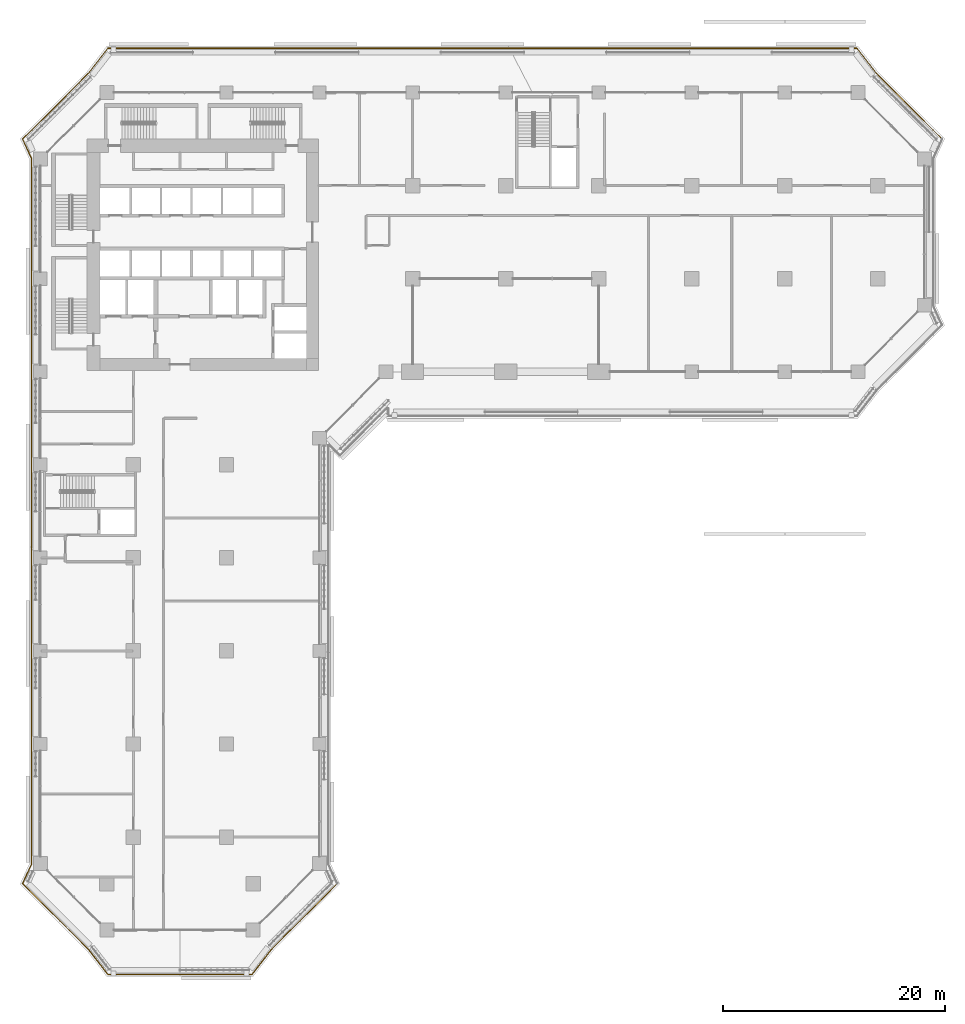
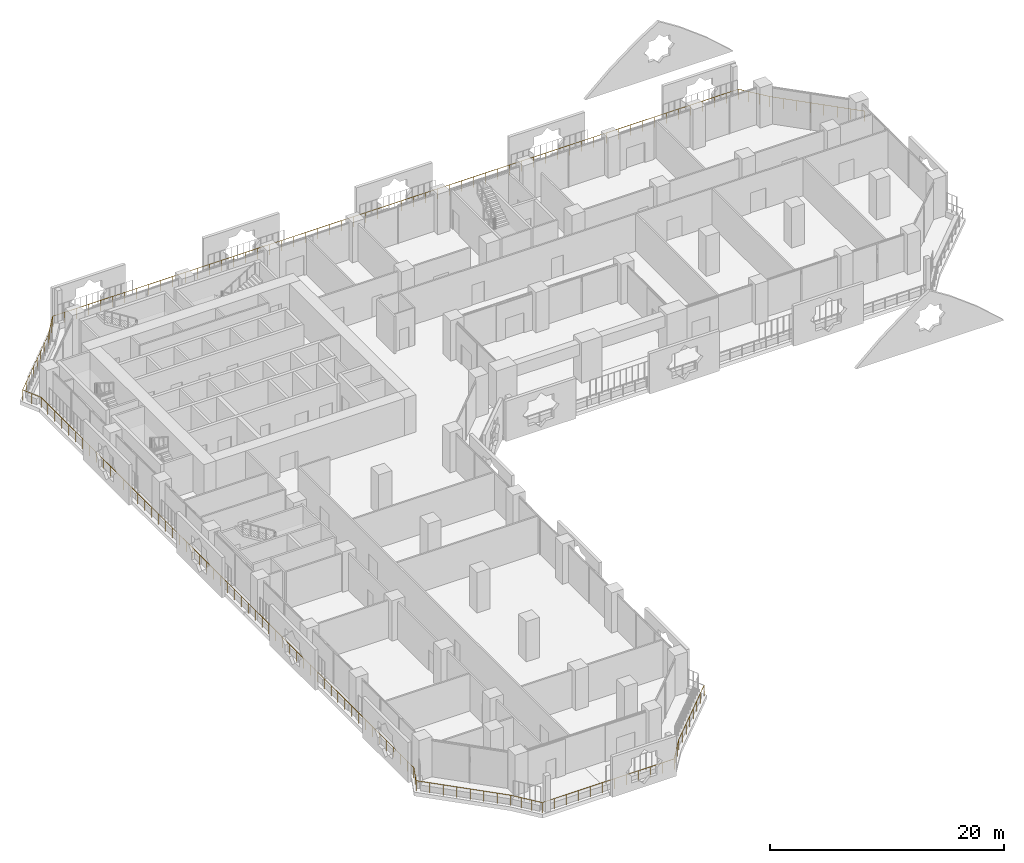
# One storey, part 22 of 27: 1 railing.
"""IFC4 building model written with IfcOpenShell, lengths in metres."""

from ifc_helpers import new_model, si_unit, direction, frame, origin, origin_2d, place, context, subcontext, project, spatial, circle, extrude, material, type_object, element, save


model = new_model("IFC4")

# Units and contexts
model_context = context("Model", 3, precision=1e-05, world=origin(), true_north=direction((0.0, 1.0)))
body_context = subcontext(model_context, "Body", "Model", "MODEL_VIEW")
ifc_project = project(units=[si_unit("LENGTHUNIT", "METRE"), si_unit("AREAUNIT", "SQUARE_METRE"), si_unit("VOLUMEUNIT", "CUBIC_METRE"), si_unit("PLANEANGLEUNIT", "RADIAN"), si_unit("MASSUNIT", "GRAM", prefix="KILO")], contexts=[model_context])

# Site, building, storey
site_placement = place(None, origin())
site = spatial("IfcSite", under=ifc_project, at=site_placement, CompositionType="ELEMENT")
building_placement = place(site_placement, origin())
building = spatial("IfcBuilding", under=site, at=building_placement, Name="Kawkab Arch Medical Tower", CompositionType="ELEMENT")
storey_placement = place(building_placement, frame((0.0, 0.0, 39.199951171875)))
storey = spatial("IfcBuildingStorey", under=building, at=storey_placement, Name="L08", CompositionType="ELEMENT", Elevation=39.199951171875)

# Railing
ifc_material = material(Name="Bronze anodised aluminium guard", Category="aluminium")
railing_type = type_object("IfcRailingType", Name="Loggia and terrace guard 1100", PredefinedType="GUARDRAIL", material=ifc_material)
railing_placement = place(storey_placement, frame((26.798095703125, -71.39501953125, 0.0)))
element("IfcRailing", 1, at=railing_placement, inside=storey, type_object=railing_type, Name="Guard L08.LOG-01.1.1", PredefinedType="GUARDRAIL", context=body_context, shape_type="SweptSolid", body=[
    extrude(circle(Radius=0.02392578125, at=origin_2d()), frame((0.0, 0.0, 1.076171875), z_axis=(-0.707121386154, -0.707092175918, 0.0), x_axis=(0.707092175918, -0.707121386154, 0.0)), (0.0, 0.0, 1.0), 8.358154296875),
    extrude(circle(Radius=0.02392578125, at=origin_2d()), frame((-5.91015625, -5.909912109375, 1.076171875), z_axis=(-0.614103336722, -0.789225627959, 0.0), x_axis=(0.789225627959, -0.614103336722, 0.0)), (0.0, 0.0, 1.0), 2.908203125),
    extrude(circle(Radius=0.02392578125, at=origin_2d()), frame((-7.696044921875, -8.205078125, 1.076171875), z_axis=(-1.0, 0.0, 0.0), x_axis=(0.0, -1.0, 0.0)), (0.0, 0.0, 1.0), 13.004150390625),
    extrude(circle(Radius=0.02392578125, at=origin_2d()), frame((-20.7001953125, -8.205078125, 1.076171875), z_axis=(-0.614103336722, 0.789225627959, 0.0), x_axis=(-0.789225627959, -0.614103336722, 0.0)), (0.0, 0.0, 1.0), 2.908203125),
    extrude(circle(Radius=0.02392578125, at=origin_2d()), frame((-22.486083984375, -5.909912109375, 1.076171875), z_axis=(-0.707106781187, 0.707106781187, 0.0), x_axis=(-0.707106781187, -0.707106781187, 0.0)), (0.0, 0.0, 1.0), 8.35791015625),
    extrude(circle(Radius=0.02392578125, at=origin_2d()), frame((-28.39599609375, 0.0, 1.076171875), z_axis=(0.414452581809, 0.910070907914, 0.0), x_axis=(-0.910070907914, 0.414452581809, 0.0)), (0.0, 0.0, 1.0), 1.925048828125),
    extrude(circle(Radius=0.02392578125, at=origin_2d()), frame((-27.59814453125, 1.751953125, 1.076171875), z_axis=(0.0, 1.0, 0.0), x_axis=(-1.0, 0.0, 0.0)), (0.0, 0.0, 1.0), 63.68603515625),
    extrude(circle(Radius=0.02392578125, at=origin_2d()), frame((-27.59814453125, 65.43798828125, 1.076171875), z_axis=(-0.414452581809, 0.910070907914, 0.0), x_axis=(-0.910070907914, -0.414452581809, 0.0)), (0.0, 0.0, 1.0), 1.925048828125),
    extrude(circle(Radius=0.02392578125, at=origin_2d()), frame((-28.39599609375, 67.18994140625, 1.076171875), z_axis=(0.707092175918, 0.707121386154, 0.0), x_axis=(-0.707121386154, 0.707092175918, 0.0)), (0.0, 0.0, 1.0), 8.358154296875),
    extrude(circle(Radius=0.02392578125, at=origin_2d()), frame((-22.486083984375, 73.10009765625, 1.076171875), z_axis=(0.614144026922, 0.789193964876, 0.0), x_axis=(-0.789193964876, 0.614144026922, 0.0)), (0.0, 0.0, 1.0), 2.907958984375),
    extrude(circle(Radius=0.02392578125, at=origin_2d()), frame((-20.7001953125, 75.39501953125, 1.076171875), z_axis=(1.0, 0.0, 0.0), x_axis=(0.0, 1.0, 0.0)), (0.0, 0.0, 1.0), 67.60400390625),
    extrude(circle(Radius=0.02392578125, at=origin_2d()), frame((46.90380859375, 75.39501953125, 1.076171875), z_axis=(0.614196313452, -0.789153273162, 0.0), x_axis=(0.789153273162, 0.614196313452, 0.0)), (0.0, 0.0, 1.0), 2.908203125),
    extrude(circle(Radius=0.02392578125, at=origin_2d()), frame((48.68994140625, 73.10009765625, 1.076171875), z_axis=(0.707092175918, -0.707121386154, 0.0), x_axis=(0.707121386154, 0.707092175918, 0.0)), (0.0, 0.0, 1.0), 8.358154296875),
    extrude(circle(Radius=0.02099609375, at=origin_2d()), origin(), (0.0, 0.0, 1.0), 1.052001953125),
    extrude(circle(Radius=0.02099609375, at=origin_2d()), frame((-0.84423828125, -0.84423828125, 0.0)), (0.0, 0.0, 1.0), 1.052001953125),
    extrude(circle(Radius=0.02099609375, at=origin_2d()), frame((-1.688720703125, -1.6884765625, 0.0)), (0.0, 0.0, 1.0), 1.052001953125),
    extrude(circle(Radius=0.02099609375, at=origin_2d()), frame((-2.532958984375, -2.53271484375, 0.0)), (0.0, 0.0, 1.0), 1.052001953125),
    extrude(circle(Radius=0.02099609375, at=origin_2d()), frame((-3.377197265625, -3.377197265625, 0.0)), (0.0, 0.0, 1.0), 1.052001953125),
    extrude(circle(Radius=0.02099609375, at=origin_2d()), frame((-4.221435546875, -4.221435546875, 0.0)), (0.0, 0.0, 1.0), 1.052001953125),
    extrude(circle(Radius=0.02099609375, at=origin_2d()), frame((-5.06591796875, -5.065673828125, 0.0)), (0.0, 0.0, 1.0), 1.052001953125),
    extrude(circle(Radius=0.02099609375, at=origin_2d()), frame((-5.91015625, -5.909912109375, 0.0)), (0.0, 0.0, 1.0), 1.052001953125),
    extrude(circle(Radius=0.02099609375, at=origin_2d()), frame((-6.50537109375, -6.675048828125, 0.0)), (0.0, 0.0, 1.0), 1.052001953125),
    extrude(circle(Radius=0.02099609375, at=origin_2d()), frame((-7.100830078125, -7.43994140625, 0.0)), (0.0, 0.0, 1.0), 1.052001953125),
    extrude(circle(Radius=0.02099609375, at=origin_2d()), frame((-7.696044921875, -8.205078125, 0.0)), (0.0, 0.0, 1.0), 1.052001953125),
    extrude(circle(Radius=0.02099609375, at=origin_2d()), frame((-8.878173828125, -8.205078125, 0.0)), (0.0, 0.0, 1.0), 1.052001953125),
    extrude(circle(Radius=0.02099609375, at=origin_2d()), frame((-10.060546875, -8.205078125, 0.0)), (0.0, 0.0, 1.0), 1.052001953125),
    extrude(circle(Radius=0.02099609375, at=origin_2d()), frame((-11.24267578125, -8.205078125, 0.0)), (0.0, 0.0, 1.0), 1.052001953125),
    extrude(circle(Radius=0.02099609375, at=origin_2d()), frame((-12.4248046875, -8.205078125, 0.0)), (0.0, 0.0, 1.0), 1.052001953125),
    extrude(circle(Radius=0.02099609375, at=origin_2d()), frame((-13.60693359375, -8.205078125, 0.0)), (0.0, 0.0, 1.0), 1.052001953125),
    extrude(circle(Radius=0.02099609375, at=origin_2d()), frame((-14.789306640625, -8.205078125, 0.0)), (0.0, 0.0, 1.0), 1.052001953125),
    extrude(circle(Radius=0.02099609375, at=origin_2d()), frame((-15.971435546875, -8.205078125, 0.0)), (0.0, 0.0, 1.0), 1.052001953125),
    extrude(circle(Radius=0.02099609375, at=origin_2d()), frame((-17.153564453125, -8.205078125, 0.0)), (0.0, 0.0, 1.0), 1.052001953125),
    extrude(circle(Radius=0.02099609375, at=origin_2d()), frame((-18.335693359375, -8.205078125, 0.0)), (0.0, 0.0, 1.0), 1.052001953125),
    extrude(circle(Radius=0.02099609375, at=origin_2d()), frame((-19.51806640625, -8.205078125, 0.0)), (0.0, 0.0, 1.0), 1.052001953125),
    extrude(circle(Radius=0.02099609375, at=origin_2d()), frame((-20.7001953125, -8.205078125, 0.0)), (0.0, 0.0, 1.0), 1.052001953125),
    extrude(circle(Radius=0.02099609375, at=origin_2d()), frame((-21.29541015625, -7.43994140625, 0.0)), (0.0, 0.0, 1.0), 1.052001953125),
    extrude(circle(Radius=0.02099609375, at=origin_2d()), frame((-21.890869140625, -6.675048828125, 0.0)), (0.0, 0.0, 1.0), 1.052001953125),
    extrude(circle(Radius=0.02099609375, at=origin_2d()), frame((-22.486083984375, -5.909912109375, 0.0)), (0.0, 0.0, 1.0), 1.052001953125),
    extrude(circle(Radius=0.02099609375, at=origin_2d()), frame((-23.330322265625, -5.065673828125, 0.0)), (0.0, 0.0, 1.0), 1.052001953125),
    extrude(circle(Radius=0.02099609375, at=origin_2d()), frame((-24.174560546875, -4.221435546875, 0.0)), (0.0, 0.0, 1.0), 1.052001953125),
    extrude(circle(Radius=0.02099609375, at=origin_2d()), frame((-25.018798828125, -3.377197265625, 0.0)), (0.0, 0.0, 1.0), 1.052001953125),
    extrude(circle(Radius=0.02099609375, at=origin_2d()), frame((-25.86328125, -2.53271484375, 0.0)), (0.0, 0.0, 1.0), 1.052001953125),
    extrude(circle(Radius=0.02099609375, at=origin_2d()), frame((-26.70751953125, -1.6884765625, 0.0)), (0.0, 0.0, 1.0), 1.052001953125),
    extrude(circle(Radius=0.02099609375, at=origin_2d()), frame((-27.5517578125, -0.84423828125, 0.0)), (0.0, 0.0, 1.0), 1.052001953125),
    extrude(circle(Radius=0.02099609375, at=origin_2d()), frame((-28.39599609375, 0.0, 0.0)), (0.0, 0.0, 1.0), 1.052001953125),
    extrude(circle(Radius=0.02099609375, at=origin_2d()), frame((-27.9970703125, 0.8759765625, 0.0)), (0.0, 0.0, 1.0), 1.052001953125),
    extrude(circle(Radius=0.02099609375, at=origin_2d()), frame((-27.59814453125, 1.751953125, 0.0)), (0.0, 0.0, 1.0), 1.052001953125),
    extrude(circle(Radius=0.02099609375, at=origin_2d()), frame((-27.59814453125, 2.931396484375, 0.0)), (0.0, 0.0, 1.0), 1.052001953125),
    extrude(circle(Radius=0.02099609375, at=origin_2d()), frame((-27.59814453125, 4.110595703125, 0.0)), (0.0, 0.0, 1.0), 1.052001953125),
    extrude(circle(Radius=0.02099609375, at=origin_2d()), frame((-27.59814453125, 5.2900390625, 0.0)), (0.0, 0.0, 1.0), 1.052001953125),
    extrude(circle(Radius=0.02099609375, at=origin_2d()), frame((-27.59814453125, 6.469482421875, 0.0)), (0.0, 0.0, 1.0), 1.052001953125),
    extrude(circle(Radius=0.02099609375, at=origin_2d()), frame((-27.59814453125, 7.64892578125, 0.0)), (0.0, 0.0, 1.0), 1.052001953125),
    extrude(circle(Radius=0.02099609375, at=origin_2d()), frame((-27.59814453125, 8.828125, 0.0)), (0.0, 0.0, 1.0), 1.052001953125),
    extrude(circle(Radius=0.02099609375, at=origin_2d()), frame((-27.59814453125, 10.007568359375, 0.0)), (0.0, 0.0, 1.0), 1.052001953125),
    extrude(circle(Radius=0.02099609375, at=origin_2d()), frame((-27.59814453125, 11.18701171875, 0.0)), (0.0, 0.0, 1.0), 1.052001953125),
    extrude(circle(Radius=0.02099609375, at=origin_2d()), frame((-27.59814453125, 12.3662109375, 0.0)), (0.0, 0.0, 1.0), 1.052001953125),
    extrude(circle(Radius=0.02099609375, at=origin_2d()), frame((-27.59814453125, 13.545654296875, 0.0)), (0.0, 0.0, 1.0), 1.052001953125),
    extrude(circle(Radius=0.02099609375, at=origin_2d()), frame((-27.59814453125, 14.72509765625, 0.0)), (0.0, 0.0, 1.0), 1.052001953125),
    extrude(circle(Radius=0.02099609375, at=origin_2d()), frame((-27.59814453125, 15.904296875, 0.0)), (0.0, 0.0, 1.0), 1.052001953125),
    extrude(circle(Radius=0.02099609375, at=origin_2d()), frame((-27.59814453125, 17.083740234375, 0.0)), (0.0, 0.0, 1.0), 1.052001953125),
    extrude(circle(Radius=0.02099609375, at=origin_2d()), frame((-27.59814453125, 18.26318359375, 0.0)), (0.0, 0.0, 1.0), 1.052001953125),
    extrude(circle(Radius=0.02099609375, at=origin_2d()), frame((-27.59814453125, 19.442626953125, 0.0)), (0.0, 0.0, 1.0), 1.052001953125),
    extrude(circle(Radius=0.02099609375, at=origin_2d()), frame((-27.59814453125, 20.621826171875, 0.0)), (0.0, 0.0, 1.0), 1.052001953125),
    extrude(circle(Radius=0.02099609375, at=origin_2d()), frame((-27.59814453125, 21.80126953125, 0.0)), (0.0, 0.0, 1.0), 1.052001953125),
    extrude(circle(Radius=0.02099609375, at=origin_2d()), frame((-27.59814453125, 22.980712890625, 0.0)), (0.0, 0.0, 1.0), 1.052001953125),
    extrude(circle(Radius=0.02099609375, at=origin_2d()), frame((-27.59814453125, 24.159912109375, 0.0)), (0.0, 0.0, 1.0), 1.052001953125),
    extrude(circle(Radius=0.02099609375, at=origin_2d()), frame((-27.59814453125, 25.33935546875, 0.0)), (0.0, 0.0, 1.0), 1.052001953125),
    extrude(circle(Radius=0.02099609375, at=origin_2d()), frame((-27.59814453125, 26.518798828125, 0.0)), (0.0, 0.0, 1.0), 1.052001953125),
    extrude(circle(Radius=0.02099609375, at=origin_2d()), frame((-27.59814453125, 27.697998046875, 0.0)), (0.0, 0.0, 1.0), 1.052001953125),
    extrude(circle(Radius=0.02099609375, at=origin_2d()), frame((-27.59814453125, 28.87744140625, 0.0)), (0.0, 0.0, 1.0), 1.052001953125),
    extrude(circle(Radius=0.02099609375, at=origin_2d()), frame((-27.59814453125, 30.056884765625, 0.0)), (0.0, 0.0, 1.0), 1.052001953125),
    extrude(circle(Radius=0.02099609375, at=origin_2d()), frame((-27.59814453125, 31.236328125, 0.0)), (0.0, 0.0, 1.0), 1.052001953125),
    extrude(circle(Radius=0.02099609375, at=origin_2d()), frame((-27.59814453125, 32.41552734375, 0.0)), (0.0, 0.0, 1.0), 1.052001953125),
    extrude(circle(Radius=0.02099609375, at=origin_2d()), frame((-27.59814453125, 33.594970703125, 0.0)), (0.0, 0.0, 1.0), 1.052001953125),
    extrude(circle(Radius=0.02099609375, at=origin_2d()), frame((-27.59814453125, 34.7744140625, 0.0)), (0.0, 0.0, 1.0), 1.052001953125),
    extrude(circle(Radius=0.02099609375, at=origin_2d()), frame((-27.59814453125, 35.95361328125, 0.0)), (0.0, 0.0, 1.0), 1.052001953125),
    extrude(circle(Radius=0.02099609375, at=origin_2d()), frame((-27.59814453125, 37.133056640625, 0.0)), (0.0, 0.0, 1.0), 1.052001953125),
    extrude(circle(Radius=0.02099609375, at=origin_2d()), frame((-27.59814453125, 38.3125, 0.0)), (0.0, 0.0, 1.0), 1.052001953125),
    extrude(circle(Radius=0.02099609375, at=origin_2d()), frame((-27.59814453125, 39.491943359375, 0.0)), (0.0, 0.0, 1.0), 1.052001953125),
    extrude(circle(Radius=0.02099609375, at=origin_2d()), frame((-27.59814453125, 40.671142578125, 0.0)), (0.0, 0.0, 1.0), 1.052001953125),
    extrude(circle(Radius=0.02099609375, at=origin_2d()), frame((-27.59814453125, 41.8505859375, 0.0)), (0.0, 0.0, 1.0), 1.052001953125),
    extrude(circle(Radius=0.02099609375, at=origin_2d()), frame((-27.59814453125, 43.030029296875, 0.0)), (0.0, 0.0, 1.0), 1.052001953125),
    extrude(circle(Radius=0.02099609375, at=origin_2d()), frame((-27.59814453125, 44.209228515625, 0.0)), (0.0, 0.0, 1.0), 1.052001953125),
    extrude(circle(Radius=0.02099609375, at=origin_2d()), frame((-27.59814453125, 45.388671875, 0.0)), (0.0, 0.0, 1.0), 1.052001953125),
    extrude(circle(Radius=0.02099609375, at=origin_2d()), frame((-27.59814453125, 46.568115234375, 0.0)), (0.0, 0.0, 1.0), 1.052001953125),
    extrude(circle(Radius=0.02099609375, at=origin_2d()), frame((-27.59814453125, 47.747314453125, 0.0)), (0.0, 0.0, 1.0), 1.052001953125),
    extrude(circle(Radius=0.02099609375, at=origin_2d()), frame((-27.59814453125, 48.9267578125, 0.0)), (0.0, 0.0, 1.0), 1.052001953125),
    extrude(circle(Radius=0.02099609375, at=origin_2d()), frame((-27.59814453125, 50.106201171875, 0.0)), (0.0, 0.0, 1.0), 1.052001953125),
    extrude(circle(Radius=0.02099609375, at=origin_2d()), frame((-27.59814453125, 51.28564453125, 0.0)), (0.0, 0.0, 1.0), 1.052001953125),
    extrude(circle(Radius=0.02099609375, at=origin_2d()), frame((-27.59814453125, 52.46484375, 0.0)), (0.0, 0.0, 1.0), 1.052001953125),
    extrude(circle(Radius=0.02099609375, at=origin_2d()), frame((-27.59814453125, 53.644287109375, 0.0)), (0.0, 0.0, 1.0), 1.052001953125),
    extrude(circle(Radius=0.02099609375, at=origin_2d()), frame((-27.59814453125, 54.82373046875, 0.0)), (0.0, 0.0, 1.0), 1.052001953125),
    extrude(circle(Radius=0.02099609375, at=origin_2d()), frame((-27.59814453125, 56.0029296875, 0.0)), (0.0, 0.0, 1.0), 1.052001953125),
    extrude(circle(Radius=0.02099609375, at=origin_2d()), frame((-27.59814453125, 57.182373046875, 0.0)), (0.0, 0.0, 1.0), 1.052001953125),
    extrude(circle(Radius=0.02099609375, at=origin_2d()), frame((-27.59814453125, 58.36181640625, 0.0)), (0.0, 0.0, 1.0), 1.052001953125),
    extrude(circle(Radius=0.02099609375, at=origin_2d()), frame((-27.59814453125, 59.541015625, 0.0)), (0.0, 0.0, 1.0), 1.052001953125),
    extrude(circle(Radius=0.02099609375, at=origin_2d()), frame((-27.59814453125, 60.720458984375, 0.0)), (0.0, 0.0, 1.0), 1.052001953125),
    extrude(circle(Radius=0.02099609375, at=origin_2d()), frame((-27.59814453125, 61.89990234375, 0.0)), (0.0, 0.0, 1.0), 1.052001953125),
    extrude(circle(Radius=0.02099609375, at=origin_2d()), frame((-27.59814453125, 63.079345703125, 0.0)), (0.0, 0.0, 1.0), 1.052001953125),
    extrude(circle(Radius=0.02099609375, at=origin_2d()), frame((-27.59814453125, 64.258544921875, 0.0)), (0.0, 0.0, 1.0), 1.052001953125),
    extrude(circle(Radius=0.02099609375, at=origin_2d()), frame((-27.59814453125, 65.43798828125, 0.0)), (0.0, 0.0, 1.0), 1.052001953125),
    extrude(circle(Radius=0.02099609375, at=origin_2d()), frame((-27.9970703125, 66.31396484375, 0.0)), (0.0, 0.0, 1.0), 1.052001953125),
    extrude(circle(Radius=0.02099609375, at=origin_2d()), frame((-28.39599609375, 67.18994140625, 0.0)), (0.0, 0.0, 1.0), 1.052001953125),
    extrude(circle(Radius=0.02099609375, at=origin_2d()), frame((-27.5517578125, 68.0341796875, 0.0)), (0.0, 0.0, 1.0), 1.052001953125),
    extrude(circle(Radius=0.02099609375, at=origin_2d()), frame((-26.70751953125, 68.878662109375, 0.0)), (0.0, 0.0, 1.0), 1.052001953125),
    extrude(circle(Radius=0.02099609375, at=origin_2d()), frame((-25.86328125, 69.722900390625, 0.0)), (0.0, 0.0, 1.0), 1.052001953125),
    extrude(circle(Radius=0.02099609375, at=origin_2d()), frame((-25.018798828125, 70.567138671875, 0.0)), (0.0, 0.0, 1.0), 1.052001953125),
    extrude(circle(Radius=0.02099609375, at=origin_2d()), frame((-24.174560546875, 71.411376953125, 0.0)), (0.0, 0.0, 1.0), 1.052001953125),
    extrude(circle(Radius=0.02099609375, at=origin_2d()), frame((-23.330322265625, 72.255859375, 0.0)), (0.0, 0.0, 1.0), 1.052001953125),
    extrude(circle(Radius=0.02099609375, at=origin_2d()), frame((-22.486083984375, 73.10009765625, 0.0)), (0.0, 0.0, 1.0), 1.052001953125),
    extrude(circle(Radius=0.02099609375, at=origin_2d()), frame((-21.890869140625, 73.864990234375, 0.0)), (0.0, 0.0, 1.0), 1.052001953125),
    extrude(circle(Radius=0.02099609375, at=origin_2d()), frame((-21.29541015625, 74.630126953125, 0.0)), (0.0, 0.0, 1.0), 1.052001953125),
    extrude(circle(Radius=0.02099609375, at=origin_2d()), frame((-20.7001953125, 75.39501953125, 0.0)), (0.0, 0.0, 1.0), 1.052001953125),
    extrude(circle(Radius=0.02099609375, at=origin_2d()), frame((-19.51416015625, 75.39501953125, 0.0)), (0.0, 0.0, 1.0), 1.052001953125),
    extrude(circle(Radius=0.02099609375, at=origin_2d()), frame((-18.328125, 75.39501953125, 0.0)), (0.0, 0.0, 1.0), 1.052001953125),
    extrude(circle(Radius=0.02099609375, at=origin_2d()), frame((-17.14208984375, 75.39501953125, 0.0)), (0.0, 0.0, 1.0), 1.052001953125),
    extrude(circle(Radius=0.02099609375, at=origin_2d()), frame((-15.9560546875, 75.39501953125, 0.0)), (0.0, 0.0, 1.0), 1.052001953125),
    extrude(circle(Radius=0.02099609375, at=origin_2d()), frame((-14.77001953125, 75.39501953125, 0.0)), (0.0, 0.0, 1.0), 1.052001953125),
    extrude(circle(Radius=0.02099609375, at=origin_2d()), frame((-13.583984375, 75.39501953125, 0.0)), (0.0, 0.0, 1.0), 1.052001953125),
    extrude(circle(Radius=0.02099609375, at=origin_2d()), frame((-12.39794921875, 75.39501953125, 0.0)), (0.0, 0.0, 1.0), 1.052001953125),
    extrude(circle(Radius=0.02099609375, at=origin_2d()), frame((-11.2119140625, 75.39501953125, 0.0)), (0.0, 0.0, 1.0), 1.052001953125),
    extrude(circle(Radius=0.02099609375, at=origin_2d()), frame((-10.02587890625, 75.39501953125, 0.0)), (0.0, 0.0, 1.0), 1.052001953125),
    extrude(circle(Radius=0.02099609375, at=origin_2d()), frame((-8.83984375, 75.39501953125, 0.0)), (0.0, 0.0, 1.0), 1.052001953125),
    extrude(circle(Radius=0.02099609375, at=origin_2d()), frame((-7.65380859375, 75.39501953125, 0.0)), (0.0, 0.0, 1.0), 1.052001953125),
    extrude(circle(Radius=0.02099609375, at=origin_2d()), frame((-6.4677734375, 75.39501953125, 0.0)), (0.0, 0.0, 1.0), 1.052001953125),
    extrude(circle(Radius=0.02099609375, at=origin_2d()), frame((-5.28173828125, 75.39501953125, 0.0)), (0.0, 0.0, 1.0), 1.052001953125),
    extrude(circle(Radius=0.02099609375, at=origin_2d()), frame((-4.095703125, 75.39501953125, 0.0)), (0.0, 0.0, 1.0), 1.052001953125),
    extrude(circle(Radius=0.02099609375, at=origin_2d()), frame((-2.90966796875, 75.39501953125, 0.0)), (0.0, 0.0, 1.0), 1.052001953125),
    extrude(circle(Radius=0.02099609375, at=origin_2d()), frame((-1.7236328125, 75.39501953125, 0.0)), (0.0, 0.0, 1.0), 1.052001953125),
    extrude(circle(Radius=0.02099609375, at=origin_2d()), frame((-0.53759765625, 75.39501953125, 0.0)), (0.0, 0.0, 1.0), 1.052001953125),
    extrude(circle(Radius=0.02099609375, at=origin_2d()), frame((0.6484375, 75.39501953125, 0.0)), (0.0, 0.0, 1.0), 1.052001953125),
    extrude(circle(Radius=0.02099609375, at=origin_2d()), frame((1.83447265625, 75.39501953125, 0.0)), (0.0, 0.0, 1.0), 1.052001953125),
    extrude(circle(Radius=0.02099609375, at=origin_2d()), frame((3.0205078125, 75.39501953125, 0.0)), (0.0, 0.0, 1.0), 1.052001953125),
    extrude(circle(Radius=0.02099609375, at=origin_2d()), frame((4.20654296875, 75.39501953125, 0.0)), (0.0, 0.0, 1.0), 1.052001953125),
    extrude(circle(Radius=0.02099609375, at=origin_2d()), frame((5.392578125, 75.39501953125, 0.0)), (0.0, 0.0, 1.0), 1.052001953125),
    extrude(circle(Radius=0.02099609375, at=origin_2d()), frame((6.57861328125, 75.39501953125, 0.0)), (0.0, 0.0, 1.0), 1.052001953125),
    extrude(circle(Radius=0.02099609375, at=origin_2d()), frame((7.7646484375, 75.39501953125, 0.0)), (0.0, 0.0, 1.0), 1.052001953125),
    extrude(circle(Radius=0.02099609375, at=origin_2d()), frame((8.95068359375, 75.39501953125, 0.0)), (0.0, 0.0, 1.0), 1.052001953125),
    extrude(circle(Radius=0.02099609375, at=origin_2d()), frame((10.13671875, 75.39501953125, 0.0)), (0.0, 0.0, 1.0), 1.052001953125),
    extrude(circle(Radius=0.02099609375, at=origin_2d()), frame((11.32275390625, 75.39501953125, 0.0)), (0.0, 0.0, 1.0), 1.052001953125),
    extrude(circle(Radius=0.02099609375, at=origin_2d()), frame((12.5087890625, 75.39501953125, 0.0)), (0.0, 0.0, 1.0), 1.052001953125),
    extrude(circle(Radius=0.02099609375, at=origin_2d()), frame((13.69482421875, 75.39501953125, 0.0)), (0.0, 0.0, 1.0), 1.052001953125),
    extrude(circle(Radius=0.02099609375, at=origin_2d()), frame((14.880859375, 75.39501953125, 0.0)), (0.0, 0.0, 1.0), 1.052001953125),
    extrude(circle(Radius=0.02099609375, at=origin_2d()), frame((16.06689453125, 75.39501953125, 0.0)), (0.0, 0.0, 1.0), 1.052001953125),
    extrude(circle(Radius=0.02099609375, at=origin_2d()), frame((17.2529296875, 75.39501953125, 0.0)), (0.0, 0.0, 1.0), 1.052001953125),
    extrude(circle(Radius=0.02099609375, at=origin_2d()), frame((18.43896484375, 75.39501953125, 0.0)), (0.0, 0.0, 1.0), 1.052001953125),
    extrude(circle(Radius=0.02099609375, at=origin_2d()), frame((19.625, 75.39501953125, 0.0)), (0.0, 0.0, 1.0), 1.052001953125),
    extrude(circle(Radius=0.02099609375, at=origin_2d()), frame((20.81103515625, 75.39501953125, 0.0)), (0.0, 0.0, 1.0), 1.052001953125),
    extrude(circle(Radius=0.02099609375, at=origin_2d()), frame((21.9970703125, 75.39501953125, 0.0)), (0.0, 0.0, 1.0), 1.052001953125),
    extrude(circle(Radius=0.02099609375, at=origin_2d()), frame((23.18310546875, 75.39501953125, 0.0)), (0.0, 0.0, 1.0), 1.052001953125),
    extrude(circle(Radius=0.02099609375, at=origin_2d()), frame((24.369140625, 75.39501953125, 0.0)), (0.0, 0.0, 1.0), 1.052001953125),
    extrude(circle(Radius=0.02099609375, at=origin_2d()), frame((25.55517578125, 75.39501953125, 0.0)), (0.0, 0.0, 1.0), 1.052001953125),
    extrude(circle(Radius=0.02099609375, at=origin_2d()), frame((26.7412109375, 75.39501953125, 0.0)), (0.0, 0.0, 1.0), 1.052001953125),
    extrude(circle(Radius=0.02099609375, at=origin_2d()), frame((27.92724609375, 75.39501953125, 0.0)), (0.0, 0.0, 1.0), 1.052001953125),
    extrude(circle(Radius=0.02099609375, at=origin_2d()), frame((29.11328125, 75.39501953125, 0.0)), (0.0, 0.0, 1.0), 1.052001953125),
    extrude(circle(Radius=0.02099609375, at=origin_2d()), frame((30.29931640625, 75.39501953125, 0.0)), (0.0, 0.0, 1.0), 1.052001953125),
    extrude(circle(Radius=0.02099609375, at=origin_2d()), frame((31.4853515625, 75.39501953125, 0.0)), (0.0, 0.0, 1.0), 1.052001953125),
    extrude(circle(Radius=0.02099609375, at=origin_2d()), frame((32.67138671875, 75.39501953125, 0.0)), (0.0, 0.0, 1.0), 1.052001953125),
    extrude(circle(Radius=0.02099609375, at=origin_2d()), frame((33.857421875, 75.39501953125, 0.0)), (0.0, 0.0, 1.0), 1.052001953125),
    extrude(circle(Radius=0.02099609375, at=origin_2d()), frame((35.04345703125, 75.39501953125, 0.0)), (0.0, 0.0, 1.0), 1.052001953125),
    extrude(circle(Radius=0.02099609375, at=origin_2d()), frame((36.2294921875, 75.39501953125, 0.0)), (0.0, 0.0, 1.0), 1.052001953125),
    extrude(circle(Radius=0.02099609375, at=origin_2d()), frame((37.41552734375, 75.39501953125, 0.0)), (0.0, 0.0, 1.0), 1.052001953125),
    extrude(circle(Radius=0.02099609375, at=origin_2d()), frame((38.6015625, 75.39501953125, 0.0)), (0.0, 0.0, 1.0), 1.052001953125),
    extrude(circle(Radius=0.02099609375, at=origin_2d()), frame((39.78759765625, 75.39501953125, 0.0)), (0.0, 0.0, 1.0), 1.052001953125),
    extrude(circle(Radius=0.02099609375, at=origin_2d()), frame((40.9736328125, 75.39501953125, 0.0)), (0.0, 0.0, 1.0), 1.052001953125),
    extrude(circle(Radius=0.02099609375, at=origin_2d()), frame((42.15966796875, 75.39501953125, 0.0)), (0.0, 0.0, 1.0), 1.052001953125),
    extrude(circle(Radius=0.02099609375, at=origin_2d()), frame((43.345703125, 75.39501953125, 0.0)), (0.0, 0.0, 1.0), 1.052001953125),
    extrude(circle(Radius=0.02099609375, at=origin_2d()), frame((44.53173828125, 75.39501953125, 0.0)), (0.0, 0.0, 1.0), 1.052001953125),
    extrude(circle(Radius=0.02099609375, at=origin_2d()), frame((45.7177734375, 75.39501953125, 0.0)), (0.0, 0.0, 1.0), 1.052001953125),
    extrude(circle(Radius=0.02099609375, at=origin_2d()), frame((46.90380859375, 75.39501953125, 0.0)), (0.0, 0.0, 1.0), 1.052001953125),
    extrude(circle(Radius=0.02099609375, at=origin_2d()), frame((47.499267578125, 74.630126953125, 0.0)), (0.0, 0.0, 1.0), 1.052001953125),
    extrude(circle(Radius=0.02099609375, at=origin_2d()), frame((48.094482421875, 73.864990234375, 0.0)), (0.0, 0.0, 1.0), 1.052001953125),
    extrude(circle(Radius=0.02099609375, at=origin_2d()), frame((48.68994140625, 73.10009765625, 0.0)), (0.0, 0.0, 1.0), 1.052001953125),
    extrude(circle(Radius=0.02099609375, at=origin_2d()), frame((49.5341796875, 72.255859375, 0.0)), (0.0, 0.0, 1.0), 1.052001953125),
    extrude(circle(Radius=0.02099609375, at=origin_2d()), frame((50.37841796875, 71.411376953125, 0.0)), (0.0, 0.0, 1.0), 1.052001953125),
    extrude(circle(Radius=0.02099609375, at=origin_2d()), frame((51.22265625, 70.567138671875, 0.0)), (0.0, 0.0, 1.0), 1.052001953125),
    extrude(circle(Radius=0.02099609375, at=origin_2d()), frame((52.067138671875, 69.722900390625, 0.0)), (0.0, 0.0, 1.0), 1.052001953125),
    extrude(circle(Radius=0.02099609375, at=origin_2d()), frame((52.911376953125, 68.878662109375, 0.0)), (0.0, 0.0, 1.0), 1.052001953125),
    extrude(circle(Radius=0.02099609375, at=origin_2d()), frame((53.755615234375, 68.0341796875, 0.0)), (0.0, 0.0, 1.0), 1.052001953125),
    extrude(circle(Radius=0.02099609375, at=origin_2d()), frame((54.599853515625, 67.18994140625, 0.0)), (0.0, 0.0, 1.0), 1.052001953125),
])

save(model, "model.ifc")
